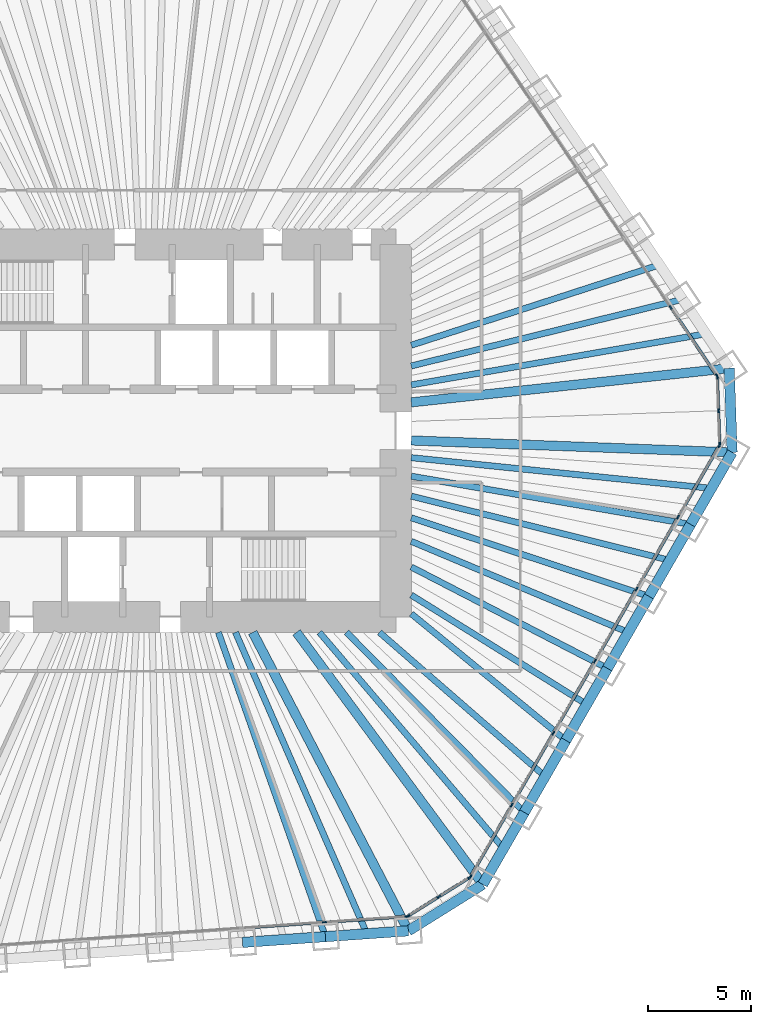
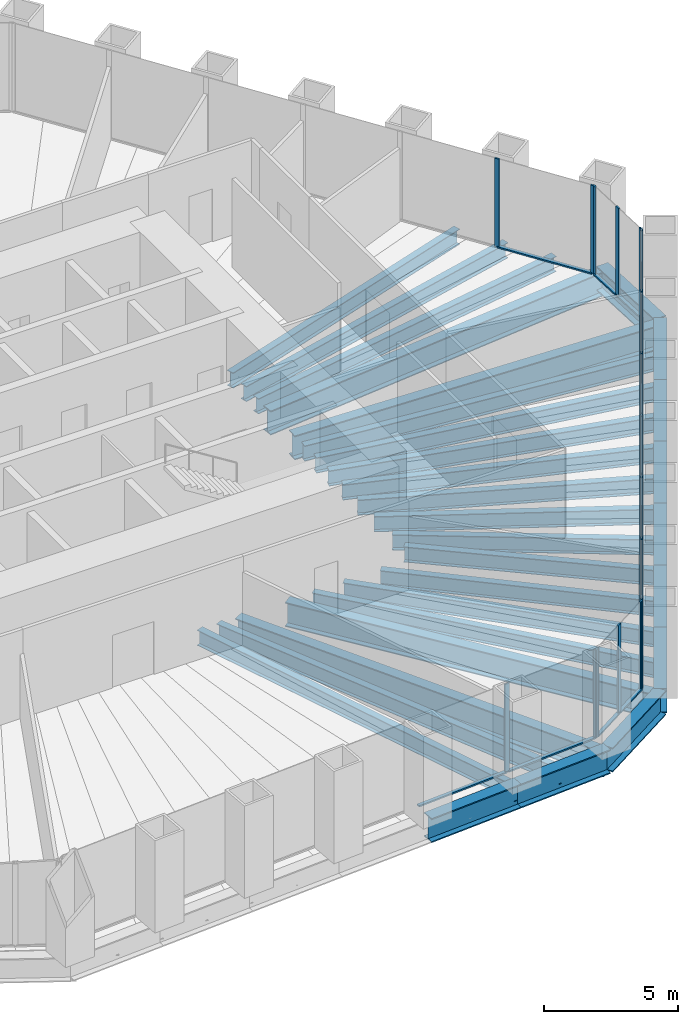
# One storey, part 4 of 13: 30 beams, 30 members, 5 elements without a shape of their own.
"""IFC4 building model written with IfcOpenShell, lengths in metres."""

import ifcopenshell
import ifcopenshell.guid

model = None  # the IFC model being written
_history = None  # IfcOwnerHistory: only IFC2X3 demands one
_inside = {}  # id of a spatial element -> (the spatial element, [elements in it])
_under = {}  # id of a project, library or spatial element -> (it, [spatial elements below it])
_declared = {}  # id of a project -> (the project, [libraries it declares])
_typed = {}  # id of a type object -> (the type object, [elements of that type])
_made_of = {}  # id of a material, layer set ... -> (it, [elements and type objects made of it])


def new_model(schema):
    """Start an empty IFC model of exactly this schema.

    Asked for "IFC4X3", IfcOpenShell would pick the latest addendum, in which some entities
    have other attributes; the version numbers below select the first issue.
    IFC2X3 requires an IfcOwnerHistory on every rooted entity: one is made here for all.
    """
    global model, _history
    if schema == "IFC4X3":
        model = ifcopenshell.file(schema_version=(4, 3, 0, 0))
    else:
        model = ifcopenshell.file(schema=schema)
    _inside.clear()
    _under.clear()
    _declared.clear()
    _typed.clear()
    _made_of.clear()
    _history = None
    if model.schema == "IFC2X3":
        org = make("IfcOrganization", Name="unknown")
        user = make(
            "IfcPersonAndOrganization",
            ThePerson=make("IfcPerson", FamilyName="unknown"),
            TheOrganization=org,
        )
        app = make(
            "IfcApplication",
            ApplicationDeveloper=org,
            Version="unknown",
            ApplicationFullName="unknown",
            ApplicationIdentifier="unknown",
        )
        _history = make(
            "IfcOwnerHistory",
            OwningUser=user,
            OwningApplication=app,
            ChangeAction="ADDED",
            CreationDate=0,
        )
    return model


def make(cls, **values):
    """One entity of the class cls with the attributes given. An attribute that is None is left unset."""
    return model.create_entity(
        cls, **{name: value for name, value in values.items() if value is not None}
    )


def rooted(cls, **values):
    """An entity with a GlobalId (a new one), such as an element, a storey or a relation."""
    return make(cls, GlobalId=ifcopenshell.guid.new(), OwnerHistory=_history, **values)


def si_unit(unit_type, name, prefix=None):
    """IfcSIUnit, for example si_unit("LENGTHUNIT", "METRE", prefix="MILLI")."""
    return make("IfcSIUnit", UnitType=unit_type, Prefix=prefix, Name=name)


def assignment(units):
    """IfcUnitAssignment: the units of a project."""
    return None if units is None else make("IfcUnitAssignment", Units=units)


def point(xyz):
    """IfcCartesianPoint."""
    return None if xyz is None else make("IfcCartesianPoint", Coordinates=xyz)


def direction(xyz):
    """IfcDirection."""
    return None if xyz is None else make("IfcDirection", DirectionRatios=xyz)


def frame(location, z_axis=None, x_axis=None):
    """IfcAxis2Placement3D, a coordinate frame: its origin and axes. An axis left out is left unset."""
    return make(
        "IfcAxis2Placement3D",
        Location=point(location),
        Axis=direction(z_axis),
        RefDirection=direction(x_axis),
    )


def frame_2d(location, x_axis=None):
    """IfcAxis2Placement2D, a coordinate frame in the plane: its origin and x axis."""
    return make(
        "IfcAxis2Placement2D", Location=point(location), RefDirection=direction(x_axis)
    )


def origin():
    """The frame at (0, 0, 0) with its axes left unset."""
    return frame((0.0, 0.0, 0.0))


def origin_2d():
    """The frame at (0, 0) in the plane with its x axis left unset."""
    return frame_2d((0.0, 0.0))


def place(relative_to, where):
    """IfcLocalPlacement: puts the frame where relative to a parent placement (None: the world)."""
    return make(
        "IfcLocalPlacement", PlacementRelTo=relative_to, RelativePlacement=where
    )


def context(
    kind, dimensions, precision=None, world=None, true_north=None, identifier=None
):
    """IfcGeometricRepresentationContext, for example the 3D "Model" context."""
    return make(
        "IfcGeometricRepresentationContext",
        ContextIdentifier=identifier,
        ContextType=kind,
        CoordinateSpaceDimension=dimensions,
        Precision=precision,
        WorldCoordinateSystem=world,
        TrueNorth=true_north,
    )


def subcontext(parent, identifier, kind, view, scale=None):
    """IfcGeometricRepresentationSubContext, for example "Body" below "Model"."""
    return make(
        "IfcGeometricRepresentationSubContext",
        ContextIdentifier=identifier,
        ContextType=kind,
        ParentContext=parent,
        TargetScale=scale,
        TargetView=view,
    )


def project(units=None, contexts=None):
    """IfcProject with its units and contexts."""
    return rooted(
        "IfcProject",
        Name="project",
        RepresentationContexts=contexts,
        UnitsInContext=assignment(units),
    )


def spatial(cls, under=None, at=None, **own):
    """A site, building, storey or space (cls), placed at a placement, below another one or the project."""
    s = rooted(cls, ObjectPlacement=at, **own)
    if under is not None:
        _under.setdefault(under.id(), (under, []))[1].append(s)
    return s


def profile(cls, at=None, kind="AREA", **sizes):
    """A parametric profile (cls). Its sizes go by their IFC names, for example OverallWidth=200.0."""
    return make(cls, ProfileType=kind, Position=at, **sizes)


def rectangle(**sizes):
    """IfcRectangleProfileDef."""
    return profile("IfcRectangleProfileDef", **sizes)


def i_section(**sizes):
    """IfcIShapeProfileDef."""
    return profile("IfcIShapeProfileDef", **sizes)


def extrude(swept, where, along, depth):
    """IfcExtrudedAreaSolid: the profile swept, set in the frame where, extruded along a direction by depth."""
    return make(
        "IfcExtrudedAreaSolid",
        SweptArea=swept,
        Position=where,
        ExtrudedDirection=direction(along),
        Depth=depth,
    )


def shape(context_of_items, identifier, shape_type, items):
    """IfcShapeRepresentation: the items that make up one representation, for example the "Body"."""
    return make(
        "IfcShapeRepresentation",
        ContextOfItems=context_of_items,
        RepresentationIdentifier=identifier,
        RepresentationType=shape_type,
        Items=items,
    )


def material(Name=None, Category=None):
    """IfcMaterial."""
    return make("IfcMaterial", Name=Name, Category=Category)


def material_profile(
    of_material, cross_section, Name=None, Category=None, Priority=None
):
    """IfcMaterialProfile: a cross section and its material."""
    return make(
        "IfcMaterialProfile",
        Name=Name,
        Material=of_material,
        Profile=cross_section,
        Priority=Priority,
        Category=Category,
    )


def profile_set(profiles, Name=None, composite=None):
    """IfcMaterialProfileSet."""
    return make(
        "IfcMaterialProfileSet",
        Name=Name,
        MaterialProfiles=profiles,
        CompositeProfile=composite,
    )


def made_of(thing, what):
    """Note that an element or type object is made of a material, layer set ...; save() writes the relation."""
    if what is not None:
        _made_of.setdefault(what.id(), (what, []))[1].append(thing)
    return thing


def type_object(cls, material=None, **own):
    """A type object (cls), such as IfcWallType, which elements share."""
    return made_of(rooted(cls, **own), material)


def element(
    cls,
    number,
    at=None,
    inside=None,
    cuts=None,
    type_object=None,
    material=None,
    context=None,
    identifier="Body",
    shape_type=None,
    held_by="IfcProductDefinitionShape",
    body=None,
    shapes=None,
    **own,
):
    """One element of the class cls, such as IfcWall. Its Tag is "e" and its number.

    at: its placement. inside: the storey or other place that contains it. cuts: it is an
    opening in that element (IfcRelVoidsElement). A single representation is given by context,
    identifier, shape_type and body (its items); several are given by shapes. held_by: the class
    of the entity that holds the representations. save() writes the other relations.
    """
    e = rooted(cls, Tag="e%d" % number, ObjectPlacement=at, **own)
    if body is not None:
        shapes = [shape(context, identifier, shape_type, body)]
    if shapes is not None:
        e.Representation = make(held_by, Representations=shapes)
    if inside is not None:
        _inside.setdefault(inside.id(), (inside, []))[1].append(e)
    if cuts is not None:
        rooted(
            "IfcRelVoidsElement", RelatingBuildingElement=cuts, RelatedOpeningElement=e
        )
    if type_object is not None:
        _typed.setdefault(type_object.id(), (type_object, []))[1].append(e)
    return made_of(e, material)


def aggregate(whole, parts):
    """IfcRelAggregates: a whole, such as a stair, and the parts it consists of."""
    return rooted("IfcRelAggregates", RelatingObject=whole, RelatedObjects=parts)


def save(model, path):
    """Write the relations noted so far, then the file.

    IfcRelAggregates (storeys below a building ...), IfcRelContainedInSpatialStructure (elements
    in a storey), IfcRelDefinesByType, IfcRelAssociatesMaterial and IfcRelDeclares: one each for
    every whole, place, type object, material and project.
    """
    for whole, parts in _under.values():
        aggregate(whole, parts)
    for where, things in _inside.values():
        rooted(
            "IfcRelContainedInSpatialStructure",
            RelatedElements=things,
            RelatingStructure=where,
        )
    for kind, things in _typed.values():
        rooted("IfcRelDefinesByType", RelatedObjects=things, RelatingType=kind)
    for what, things in _made_of.values():
        rooted("IfcRelAssociatesMaterial", RelatedObjects=things, RelatingMaterial=what)
    for by, libraries in _declared.values():
        rooted("IfcRelDeclares", RelatingContext=by, RelatedDefinitions=libraries)
    model.write(path)


model = new_model("IFC4")

# Units and contexts
model_context = context("Model", 3, precision=1e-05, world=origin(), true_north=direction((0.0, 1.0)))
body_context = subcontext(model_context, "Body", "Model", "MODEL_VIEW")
ifc_project = project(units=[si_unit("LENGTHUNIT", "METRE"), si_unit("AREAUNIT", "SQUARE_METRE"), si_unit("VOLUMEUNIT", "CUBIC_METRE"), si_unit("PLANEANGLEUNIT", "RADIAN"), si_unit("MASSUNIT", "GRAM", prefix="KILO")], contexts=[model_context])

# Site, building, storey
site_placement = place(None, origin())
site = spatial("IfcSite", under=ifc_project, at=site_placement, CompositionType="ELEMENT")
building_placement = place(site_placement, origin())
building = spatial("IfcBuilding", under=site, at=building_placement, Name="Qingtian Harvest Tower", CompositionType="ELEMENT")
storey_placement = place(building_placement, frame((0.0, 0.0, 153.39990234375)))
storey = spatial("IfcBuildingStorey", under=building, at=storey_placement, Name="L32", CompositionType="ELEMENT", Elevation=153.39990234375)

# Beams
ifc_material_1 = material(Name="Steel SM570MC", Category="steel")
ifc_material_profile_1 = material_profile(ifc_material_1, i_section(OverallWidth=0.449951171875, OverallDepth=1.10009765625, WebThickness=0.02197265625, FlangeThickness=0.044921875, at=origin_2d()), Name="H1100x450x22x45")
ifc_profile_set_1 = profile_set([ifc_material_profile_1], Name="Steel SM570MC")
beam_type_1 = type_object("IfcBeamType", Name="Corner floor beam FB8 H1100x450x22x45", PredefinedType="BEAM", material=ifc_profile_set_1)
beam_1_placement = place(storey_placement, frame((28.119384765625, 3.0185546875, -0.719970703125), z_axis=(-0.994287324052, -0.106736672374, 0.0), x_axis=(0.106736672374, -0.994287324052, 0.0)))
element("IfcBeam", 1, at=beam_1_placement, inside=storey, type_object=beam_type_1, Name="Floor beam FB8 NE6", PredefinedType="BEAM", context=body_context, shape_type="SweptSolid", body=[
    extrude(i_section(OverallWidth=0.449951171875, OverallDepth=1.10009765625, WebThickness=0.02197265625, FlangeThickness=0.044921875, at=origin_2d()), origin(), (0.0, 0.0, 1.0), 15.457763671875),
])
beam_2_placement = place(storey_placement, frame((28.261474609375, -1.049560546875, -0.719970703125), z_axis=(-0.999311425285, 0.03710357523, 0.0), x_axis=(-0.03710357523, -0.999311425285, 0.0)))
element("IfcBeam", 2, at=beam_2_placement, inside=storey, type_object=beam_type_1, Name="Floor beam FB8 SE0", PredefinedType="BEAM", context=body_context, shape_type="SweptSolid", body=[
    extrude(i_section(OverallWidth=0.449951171875, OverallDepth=1.10009765625, WebThickness=0.02197265625, FlangeThickness=0.044921875, at=origin_2d()), origin(), (0.0, 0.0, 1.0), 15.522216796875),
])
beam_3_placement = place(storey_placement, frame((16.204345703125, -21.933349609375, -0.719970703125), z_axis=(-0.594215666968, 0.804305751023, 0.0), x_axis=(-0.804305751023, -0.594215666968, 0.0)))
element("IfcBeam", 3, at=beam_3_placement, inside=storey, type_object=beam_type_1, Name="Floor beam FB8 SE6", PredefinedType="BEAM", context=body_context, shape_type="SweptSolid", body=[
    extrude(i_section(OverallWidth=0.449951171875, OverallDepth=1.10009765625, WebThickness=0.02197265625, FlangeThickness=0.044921875, at=origin_2d()), origin(), (0.0, 0.0, 1.0), 15.147705078125),
])
beam_4_placement = place(storey_placement, frame((12.610107421875, -24.17919921875, -0.719970703125), z_axis=(-0.462414751295, 0.886663745613, 0.0), x_axis=(-0.886663745613, -0.462414751295, 0.0)))
element("IfcBeam", 4, at=beam_4_placement, inside=storey, type_object=beam_type_1, Name="Floor beam FB8 S0", PredefinedType="BEAM", context=body_context, shape_type="SweptSolid", body=[
    extrude(i_section(OverallWidth=0.449951171875, OverallDepth=1.10009765625, WebThickness=0.02197265625, FlangeThickness=0.044921875, at=origin_2d()), origin(), (0.0, 0.0, 1.0), 16.273681640625),
])
ifc_material_2 = material(Name="Steel SN490B", Category="steel")
ifc_material_profile_2 = material_profile(ifc_material_2, i_section(OverallWidth=0.300048828125, OverallDepth=0.699951171875, WebThickness=0.012939453125, FlangeThickness=0.02392578125, at=origin_2d()), Name="H700x300x13x24")
ifc_profile_set_2 = profile_set([ifc_material_profile_2], Name="Steel SN490B")
beam_type_2 = type_object("IfcBeamType", Name="Floor beam FB2 H700x300x13x24", PredefinedType="BEAM", material=ifc_profile_set_2)
beam_5_placement = place(storey_placement, frame((25.8720703125, 6.3505859375, -0.52001953125), z_axis=(-0.971170997483, -0.2383839207, 0.0), x_axis=(0.2383839207, -0.971170997483, 0.0)))
element("IfcBeam", 5, at=beam_5_placement, inside=storey, type_object=beam_type_2, Name="Floor beam FB2 NE5", PredefinedType="BEAM", context=body_context, shape_type="SweptSolid", body=[
    extrude(i_section(OverallWidth=0.300048828125, OverallDepth=0.699951171875, WebThickness=0.012939453125, FlangeThickness=0.02392578125, at=origin_2d()), origin(), (0.0, 0.0, 1.0), 13.511474609375),
])
beam_6_placement = place(storey_placement, frame((26.251953125, -4.5302734375, -0.52001953125), z_axis=(-0.985433767107, 0.170059667895, 0.0), x_axis=(-0.170059667895, -0.985433767107, 0.0)))
element("IfcBeam", 6, at=beam_6_placement, inside=storey, type_object=beam_type_2, Name="Floor beam FB2 SE1", PredefinedType="BEAM", context=body_context, shape_type="SweptSolid", body=[
    extrude(i_section(OverallWidth=0.300048828125, OverallDepth=0.699951171875, WebThickness=0.012939453125, FlangeThickness=0.02392578125, at=origin_2d()), origin(), (0.0, 0.0, 1.0), 13.701416015625),
])
beam_7_placement = place(storey_placement, frame((24.242431640625, -8.010986328125, -0.52001953125), z_axis=(-0.949497047328, 0.31377596644, 0.0), x_axis=(-0.31377596644, -0.949497047328, 0.0)))
element("IfcBeam", 7, at=beam_7_placement, inside=storey, type_object=beam_type_2, Name="Floor beam FB2 SE2", PredefinedType="BEAM", context=body_context, shape_type="SweptSolid", body=[
    extrude(i_section(OverallWidth=0.300048828125, OverallDepth=0.699951171875, WebThickness=0.012939453125, FlangeThickness=0.02392578125, at=origin_2d()), origin(), (0.0, 0.0, 1.0), 12.103759765625),
])
beam_8_placement = place(storey_placement, frame((22.23291015625, -11.491455078125, -0.52001953125), z_axis=(-0.888354700773, 0.459157843899, 0.0), x_axis=(-0.459157843899, -0.888354700773, 0.0)))
element("IfcBeam", 8, at=beam_8_placement, inside=storey, type_object=beam_type_2, Name="Floor beam FB2 SE3", PredefinedType="BEAM", context=body_context, shape_type="SweptSolid", body=[
    extrude(i_section(OverallWidth=0.300048828125, OverallDepth=0.699951171875, WebThickness=0.012939453125, FlangeThickness=0.02392578125, at=origin_2d()), origin(), (0.0, 0.0, 1.0), 10.6748046875),
])
beam_9_placement = place(storey_placement, frame((20.223388671875, -14.97216796875, -0.52001953125), z_axis=(-0.773577716445, 0.633701441233, 0.0), x_axis=(-0.633701441233, -0.773577716445, 0.0)))
element("IfcBeam", 9, at=beam_9_placement, inside=storey, type_object=beam_type_2, Name="Floor beam FB2 SE4", PredefinedType="BEAM", context=body_context, shape_type="SweptSolid", body=[
    extrude(i_section(OverallWidth=0.300048828125, OverallDepth=0.699951171875, WebThickness=0.012939453125, FlangeThickness=0.02392578125, at=origin_2d()), origin(), (0.0, 0.0, 1.0), 9.660888671875),
])
beam_10_placement = place(storey_placement, frame((18.2138671875, -18.452880859375, -0.52001953125), z_axis=(-0.702479751847, 0.711703729262, 0.0), x_axis=(-0.711703729262, -0.702479751847, 0.0)))
element("IfcBeam", 10, at=beam_10_placement, inside=storey, type_object=beam_type_2, Name="Floor beam FB2 SE5", PredefinedType="BEAM", context=body_context, shape_type="SweptSolid", body=[
    extrude(i_section(OverallWidth=0.300048828125, OverallDepth=0.699951171875, WebThickness=0.012939453125, FlangeThickness=0.02392578125, at=origin_2d()), origin(), (0.0, 0.0, 1.0), 12.228271484375),
])
beam_11_placement = place(storey_placement, frame((8.600830078125, -24.459716796875, -0.52001953125), z_axis=(-0.331719146802, 0.943378189087, 0.0), x_axis=(-0.943378189087, -0.331719146802, 0.0)))
element("IfcBeam", 11, at=beam_11_placement, inside=storey, type_object=beam_type_2, Name="Floor beam FB2 S1", PredefinedType="BEAM", context=body_context, shape_type="SweptSolid", body=[
    extrude(i_section(OverallWidth=0.300048828125, OverallDepth=0.699951171875, WebThickness=0.012939453125, FlangeThickness=0.02392578125, at=origin_2d()), origin(), (0.0, 0.0, 1.0), 15.592529296875),
])
ifc_material_3 = material(Name="Steel SN490B", Category="steel")
ifc_material_profile_3 = material_profile(ifc_material_3, i_section(OverallWidth=0.300048828125, OverallDepth=0.699951171875, WebThickness=0.012939453125, FlangeThickness=0.02392578125, at=origin_2d()), Name="H700x300x13x24")
ifc_profile_set_3 = profile_set([ifc_material_profile_3], Name="Steel SN490B")
beam_type_3 = type_object("IfcBeamType", Name="Floor joist J2 H700x300x13x24", PredefinedType="JOIST", material=ifc_profile_set_3)
beam_12_placement = place(storey_placement, frame((24.748291015625, 8.016357421875, -0.52001953125), z_axis=(-0.951335907519, -0.308155790249, 0.0), x_axis=(0.308155790249, -0.951335907519, 0.0)))
element("IfcBeam", 12, at=beam_12_placement, inside=storey, type_object=beam_type_3, Name="Floor joist J2 NE4", PredefinedType="JOIST", context=body_context, shape_type="SweptSolid", body=[
    extrude(i_section(OverallWidth=0.300048828125, OverallDepth=0.699951171875, WebThickness=0.012939453125, FlangeThickness=0.02392578125, at=origin_2d()), origin(), (0.0, 0.0, 1.0), 12.612060546875),
])
beam_13_placement = place(storey_placement, frame((26.99560546875, 4.6845703125, -0.52001953125), z_axis=(-0.985273903188, -0.17098343691, 0.0), x_axis=(0.17098343691, -0.985273903188, 0.0)))
element("IfcBeam", 13, at=beam_13_placement, inside=storey, type_object=beam_type_3, Name="Floor joist J2 NE5", PredefinedType="JOIST", context=body_context, shape_type="SweptSolid", body=[
    extrude(i_section(OverallWidth=0.300048828125, OverallDepth=0.699951171875, WebThickness=0.012939453125, FlangeThickness=0.02392578125, at=origin_2d()), origin(), (0.0, 0.0, 1.0), 14.45849609375),
])
beam_14_placement = place(storey_placement, frame((27.2568359375, -2.7900390625, -0.52001953125), z_axis=(-0.994802418411, 0.101824104826, 0.0), x_axis=(-0.101824104826, -0.994802418411, 0.0)))
element("IfcBeam", 14, at=beam_14_placement, inside=storey, type_object=beam_type_3, Name="Floor joist J2 SE0", PredefinedType="JOIST", context=body_context, shape_type="SweptSolid", body=[
    extrude(i_section(OverallWidth=0.300048828125, OverallDepth=0.699951171875, WebThickness=0.012939453125, FlangeThickness=0.02392578125, at=origin_2d()), origin(), (0.0, 0.0, 1.0), 14.58251953125),
])
beam_15_placement = place(storey_placement, frame((25.247314453125, -6.2705078125, -0.52001953125), z_axis=(-0.970517179244, 0.241031958032, 0.0), x_axis=(-0.241031958032, -0.970517179244, 0.0)))
element("IfcBeam", 15, at=beam_15_placement, inside=storey, type_object=beam_type_3, Name="Floor joist J2 SE1", PredefinedType="JOIST", context=body_context, shape_type="SweptSolid", body=[
    extrude(i_section(OverallWidth=0.300048828125, OverallDepth=0.699951171875, WebThickness=0.012939453125, FlangeThickness=0.02392578125, at=origin_2d()), origin(), (0.0, 0.0, 1.0), 12.876953125),
])
beam_16_placement = place(storey_placement, frame((23.237548828125, -9.751220703125, -0.52001953125), z_axis=(-0.922104219626, 0.386941608189, 0.0), x_axis=(-0.386941608189, -0.922104219626, 0.0)))
element("IfcBeam", 16, at=beam_16_placement, inside=storey, type_object=beam_type_3, Name="Floor joist J2 SE2", PredefinedType="JOIST", context=body_context, shape_type="SweptSolid", body=[
    extrude(i_section(OverallWidth=0.300048828125, OverallDepth=0.699951171875, WebThickness=0.012939453125, FlangeThickness=0.02392578125, at=origin_2d()), origin(), (0.0, 0.0, 1.0), 11.37353515625),
])
beam_17_placement = place(storey_placement, frame((21.22802734375, -13.23193359375, -0.52001953125), z_axis=(-0.848631984892, 0.528983699389, 0.0), x_axis=(-0.528983699389, -0.848631984892, 0.0)))
element("IfcBeam", 17, at=beam_17_placement, inside=storey, type_object=beam_type_3, Name="Floor joist J2 SE3", PredefinedType="JOIST", context=body_context, shape_type="SweptSolid", body=[
    extrude(i_section(OverallWidth=0.300048828125, OverallDepth=0.699951171875, WebThickness=0.012939453125, FlangeThickness=0.02392578125, at=origin_2d()), origin(), (0.0, 0.0, 1.0), 9.990234375),
])
beam_18_placement = place(storey_placement, frame((19.218505859375, -16.71240234375, -0.52001953125), z_axis=(-0.754588679317, 0.656198083697, 0.0), x_axis=(-0.656198083697, -0.754588679317, 0.0)))
element("IfcBeam", 18, at=beam_18_placement, inside=storey, type_object=beam_type_3, Name="Floor joist J2 SE4", PredefinedType="JOIST", context=body_context, shape_type="SweptSolid", body=[
    extrude(i_section(OverallWidth=0.300048828125, OverallDepth=0.699951171875, WebThickness=0.012939453125, FlangeThickness=0.02392578125, at=origin_2d()), origin(), (0.0, 0.0, 1.0), 10.610107421875),
])
beam_19_placement = place(storey_placement, frame((17.208984375, -20.193115234375, -0.52001953125), z_axis=(-0.648631797865, 0.76110235238, 0.0), x_axis=(-0.76110235238, -0.648631797865, 0.0)))
element("IfcBeam", 19, at=beam_19_placement, inside=storey, type_object=beam_type_3, Name="Floor joist J2 SE5", PredefinedType="JOIST", context=body_context, shape_type="SweptSolid", body=[
    extrude(i_section(OverallWidth=0.300048828125, OverallDepth=0.699951171875, WebThickness=0.012939453125, FlangeThickness=0.02392578125, at=origin_2d()), origin(), (0.0, 0.0, 1.0), 13.720947265625),
])
beam_20_placement = place(storey_placement, frame((10.60546875, -24.3193359375, -0.52001953125), z_axis=(-0.399732363577, 0.916631898588, 0.0), x_axis=(-0.916631898588, -0.399732363577, 0.0)))
element("IfcBeam", 20, at=beam_20_placement, inside=storey, type_object=beam_type_3, Name="Floor joist J2 S0", PredefinedType="JOIST", context=body_context, shape_type="SweptSolid", body=[
    extrude(i_section(OverallWidth=0.300048828125, OverallDepth=0.699951171875, WebThickness=0.012939453125, FlangeThickness=0.02392578125, at=origin_2d()), origin(), (0.0, 0.0, 1.0), 15.89453125),
])

# Curtain wall, members
ifc_material_4 = material(Name="Bronze-anodised aluminium curtain wall", Category="aluminium")
curtain_wall_type = type_object("IfcCurtainWallType", Name="Curtain wall CW4 office", PredefinedType="USERDEFINED", material=ifc_material_4)
curtain_wall_1_placement = place(storey_placement, origin())
curtain_wall_1 = element("IfcCurtainWall", 21, at=curtain_wall_1_placement, inside=storey, type_object=curtain_wall_type, Name="Curtain wall CW4 L32 NE0-5", ObjectType="RECESSED CURTAIN WALL", PredefinedType="USERDEFINED")
ifc_material_5 = material(Name="Bronze-anodised aluminium mullion", Category="aluminium")
ifc_material_profile_4 = material_profile(ifc_material_5, rectangle(XDim=0.06494140625, YDim=0.199951171875, at=origin_2d()), Name="AL 65x200")
ifc_profile_set_4 = profile_set([ifc_material_profile_4], Name="Bronze-anodised aluminium mullion")
member_type_1 = type_object("IfcMemberType", Name="Mullion CWM 65x200", PredefinedType="MULLION", material=ifc_profile_set_4)
member_1_placement = place(storey_placement, frame((25.291748046875, 5.958984375, 0.0), z_axis=(0.0, 0.0, 1.0), x_axis=(0.829037572555, 0.559192903471, 0.0)))
member_1 = element("IfcMember", 22, at=member_1_placement, type_object=member_type_1, Name="CW4 mullion 6", PredefinedType="MULLION", context=body_context, shape_type="SweptSolid", body=[
    extrude(rectangle(XDim=0.06494140625, YDim=0.199951171875, at=origin_2d()), origin(), (0.0, 0.0, 1.0), 4.030029296875),
])
member_2_placement = place(storey_placement, frame((27.52099609375, 2.654052734375, 0.0), z_axis=(0.0, 0.0, 1.0), x_axis=(0.829037572555, 0.559192903471, 0.0)))
member_2 = element("IfcMember", 23, at=member_2_placement, type_object=member_type_1, Name="CW4 mullion 7", PredefinedType="MULLION", context=body_context, shape_type="SweptSolid", body=[
    extrude(rectangle(XDim=0.06494140625, YDim=0.199951171875, at=origin_2d()), origin(), (0.0, 0.0, 1.0), 4.030029296875),
])

curtain_wall_2_placement = place(storey_placement, origin())
curtain_wall_2 = element("IfcCurtainWall", 24, at=curtain_wall_2_placement, inside=storey, type_object=curtain_wall_type, Name="Curtain wall CW4 L32 NEC", ObjectType="RECESSED CURTAIN WALL", PredefinedType="USERDEFINED")
member_3_placement = place(storey_placement, frame((27.540283203125, 2.594482421875, 0.0), z_axis=(0.0, 0.0, 1.0), x_axis=(0.999390827019, 0.034899496703, 0.0)))
member_3 = element("IfcMember", 25, at=member_3_placement, type_object=member_type_1, Name="CW4 mullion 1", PredefinedType="MULLION", context=body_context, shape_type="SweptSolid", body=[
    extrude(rectangle(XDim=0.06494140625, YDim=0.199951171875, at=origin_2d()), origin(), (0.0, 0.0, 1.0), 4.030029296875),
])
member_4_placement = place(storey_placement, frame((27.59716796875, 0.963623046875, 0.0), z_axis=(0.0, 0.0, 1.0), x_axis=(0.999390827019, 0.034899496703, 0.0)))
member_4 = element("IfcMember", 26, at=member_4_placement, type_object=member_type_1, Name="CW4 mullion 2", PredefinedType="MULLION", context=body_context, shape_type="SweptSolid", body=[
    extrude(rectangle(XDim=0.06494140625, YDim=0.199951171875, at=origin_2d()), origin(), (0.0, 0.0, 1.0), 4.030029296875),
])
member_5_placement = place(storey_placement, frame((27.654052734375, -0.667236328125, 0.0), z_axis=(0.0, 0.0, 1.0), x_axis=(0.999390827019, 0.034899496703, 0.0)))
member_5 = element("IfcMember", 27, at=member_5_placement, type_object=member_type_1, Name="CW4 mullion 3", PredefinedType="MULLION", context=body_context, shape_type="SweptSolid", body=[
    extrude(rectangle(XDim=0.06494140625, YDim=0.199951171875, at=origin_2d()), origin(), (0.0, 0.0, 1.0), 4.030029296875),
])

curtain_wall_3_placement = place(storey_placement, origin())
curtain_wall_3 = element("IfcCurtainWall", 28, at=curtain_wall_3_placement, inside=storey, type_object=curtain_wall_type, Name="Curtain wall CW4 L32 SE0-5", ObjectType="RECESSED CURTAIN WALL", PredefinedType="USERDEFINED")
member_6_placement = place(storey_placement, frame((27.638916015625, -0.727783203125, 0.0), z_axis=(0.0, 0.0, 1.0), x_axis=(0.866025403784, -0.5, 0.0)))
member_6 = element("IfcMember", 29, at=member_6_placement, type_object=member_type_1, Name="CW4 mullion 1", PredefinedType="MULLION", context=body_context, shape_type="SweptSolid", body=[
    extrude(rectangle(XDim=0.06494140625, YDim=0.199951171875, at=origin_2d()), origin(), (0.0, 0.0, 1.0), 4.030029296875),
])
member_7_placement = place(storey_placement, frame((25.645751953125, -4.18017578125, 0.0), z_axis=(0.0, 0.0, 1.0), x_axis=(0.866025403784, -0.5, 0.0)))
member_7 = element("IfcMember", 30, at=member_7_placement, type_object=member_type_1, Name="CW4 mullion 2", PredefinedType="MULLION", context=body_context, shape_type="SweptSolid", body=[
    extrude(rectangle(XDim=0.06494140625, YDim=0.199951171875, at=origin_2d()), origin(), (0.0, 0.0, 1.0), 4.030029296875),
])
member_8_placement = place(storey_placement, frame((23.63623046875, -7.660888671875, 0.0), z_axis=(0.0, 0.0, 1.0), x_axis=(0.866025403784, -0.5, 0.0)))
member_8 = element("IfcMember", 31, at=member_8_placement, type_object=member_type_1, Name="CW4 mullion 3", PredefinedType="MULLION", context=body_context, shape_type="SweptSolid", body=[
    extrude(rectangle(XDim=0.06494140625, YDim=0.199951171875, at=origin_2d()), origin(), (0.0, 0.0, 1.0), 4.030029296875),
])
member_9_placement = place(storey_placement, frame((21.626708984375, -11.1416015625, 0.0), z_axis=(0.0, 0.0, 1.0), x_axis=(0.866025403784, -0.5, 0.0)))
member_9 = element("IfcMember", 32, at=member_9_placement, type_object=member_type_1, Name="CW4 mullion 4", PredefinedType="MULLION", context=body_context, shape_type="SweptSolid", body=[
    extrude(rectangle(XDim=0.06494140625, YDim=0.199951171875, at=origin_2d()), origin(), (0.0, 0.0, 1.0), 4.030029296875),
])
member_10_placement = place(storey_placement, frame((19.6171875, -14.6220703125, 0.0), z_axis=(0.0, 0.0, 1.0), x_axis=(0.866025403784, -0.5, 0.0)))
member_10 = element("IfcMember", 33, at=member_10_placement, type_object=member_type_1, Name="CW4 mullion 5", PredefinedType="MULLION", context=body_context, shape_type="SweptSolid", body=[
    extrude(rectangle(XDim=0.06494140625, YDim=0.199951171875, at=origin_2d()), origin(), (0.0, 0.0, 1.0), 4.030029296875),
])
member_11_placement = place(storey_placement, frame((17.607666015625, -18.102783203125, 0.0), z_axis=(0.0, 0.0, 1.0), x_axis=(0.866025403784, -0.5, 0.0)))
member_11 = element("IfcMember", 34, at=member_11_placement, type_object=member_type_1, Name="CW4 mullion 6", PredefinedType="MULLION", context=body_context, shape_type="SweptSolid", body=[
    extrude(rectangle(XDim=0.06494140625, YDim=0.199951171875, at=origin_2d()), origin(), (0.0, 0.0, 1.0), 4.030029296875),
])
member_12_placement = place(storey_placement, frame((15.6142578125, -21.55517578125, 0.0), z_axis=(0.0, 0.0, 1.0), x_axis=(0.866025403784, -0.5, 0.0)))
member_12 = element("IfcMember", 35, at=member_12_placement, type_object=member_type_1, Name="CW4 mullion 7", PredefinedType="MULLION", context=body_context, shape_type="SweptSolid", body=[
    extrude(rectangle(XDim=0.06494140625, YDim=0.199951171875, at=origin_2d()), origin(), (0.0, 0.0, 1.0), 4.030029296875),
])

curtain_wall_4_placement = place(storey_placement, origin())
curtain_wall_4 = element("IfcCurtainWall", 36, at=curtain_wall_4_placement, inside=storey, type_object=curtain_wall_type, Name="Curtain wall CW4 L32 SEC", ObjectType="RECESSED CURTAIN WALL", PredefinedType="USERDEFINED")
member_13_placement = place(storey_placement, frame((15.570556640625, -21.6005859375, 0.0), z_axis=(0.0, 0.0, 1.0), x_axis=(0.529919264233, -0.848048096156, 0.0)))
member_13 = element("IfcMember", 37, at=member_13_placement, type_object=member_type_1, Name="CW4 mullion 1", PredefinedType="MULLION", context=body_context, shape_type="SweptSolid", body=[
    extrude(rectangle(XDim=0.06494140625, YDim=0.199951171875, at=origin_2d()), origin(), (0.0, 0.0, 1.0), 4.030029296875),
])
member_14_placement = place(storey_placement, frame((14.07958984375, -22.5322265625, 0.0), z_axis=(0.0, 0.0, 1.0), x_axis=(0.529919264233, -0.848048096156, 0.0)))
member_14 = element("IfcMember", 38, at=member_14_placement, type_object=member_type_1, Name="CW4 mullion 2", PredefinedType="MULLION", context=body_context, shape_type="SweptSolid", body=[
    extrude(rectangle(XDim=0.06494140625, YDim=0.199951171875, at=origin_2d()), origin(), (0.0, 0.0, 1.0), 4.030029296875),
])
member_15_placement = place(storey_placement, frame((12.5888671875, -23.4638671875, 0.0), z_axis=(0.0, 0.0, 1.0), x_axis=(0.529919264233, -0.848048096156, 0.0)))
member_15 = element("IfcMember", 39, at=member_15_placement, type_object=member_type_1, Name="CW4 mullion 3", PredefinedType="MULLION", context=body_context, shape_type="SweptSolid", body=[
    extrude(rectangle(XDim=0.06494140625, YDim=0.199951171875, at=origin_2d()), origin(), (0.0, 0.0, 1.0), 4.030029296875),
])

curtain_wall_5_placement = place(storey_placement, origin())
curtain_wall_5 = element("IfcCurtainWall", 40, at=curtain_wall_5_placement, inside=storey, type_object=curtain_wall_type, Name="Curtain wall CW4 L32 S0-5", ObjectType="RECESSED CURTAIN WALL", PredefinedType="USERDEFINED")
member_16_placement = place(storey_placement, frame((12.52880859375, -23.483154296875, 0.0), z_axis=(0.0, 0.0, 1.0), x_axis=(0.069756473744, -0.99756405026, 0.0)))
member_16 = element("IfcMember", 41, at=member_16_placement, type_object=member_type_1, Name="CW4 mullion 1", PredefinedType="MULLION", context=body_context, shape_type="SweptSolid", body=[
    extrude(rectangle(XDim=0.06494140625, YDim=0.199951171875, at=origin_2d()), origin(), (0.0, 0.0, 1.0), 4.030029296875),
])
member_17_placement = place(storey_placement, frame((8.552001953125, -23.76123046875, 0.0), z_axis=(0.0, 0.0, 1.0), x_axis=(0.069756473744, -0.99756405026, 0.0)))
member_17 = element("IfcMember", 42, at=member_17_placement, type_object=member_type_1, Name="CW4 mullion 2", PredefinedType="MULLION", context=body_context, shape_type="SweptSolid", body=[
    extrude(rectangle(XDim=0.06494140625, YDim=0.199951171875, at=origin_2d()), origin(), (0.0, 0.0, 1.0), 4.030029296875),
])

# Beams
ifc_material_6 = material(Name="Steel SM570MC", Category="steel")
ifc_material_profile_5 = material_profile(ifc_material_6, i_section(OverallWidth=0.5, OverallDepth=1.10009765625, WebThickness=0.02490234375, FlangeThickness=0.050048828125, at=origin_2d()), Name="H1100x500x25x50")
ifc_profile_set_5 = profile_set([ifc_material_profile_5], Name="Steel SM570MC")
beam_type_4 = type_object("IfcBeamType", Name="Spandrel beam SB2 H1100x500x25x50", PredefinedType="SPANDREL", material=ifc_profile_set_5)
beam_21_placement = place(storey_placement, frame((28.119384765625, 3.0185546875, -0.5498046875), z_axis=(0.03490639867, -0.999390585973, 0.0), x_axis=(0.999390585973, 0.03490639867, 0.0)))
element("IfcBeam", 43, at=beam_21_placement, inside=storey, type_object=beam_type_4, Name="Spandrel SB2 NEC", PredefinedType="SPANDREL", context=body_context, shape_type="SweptSolid", body=[
    extrude(i_section(OverallWidth=0.5, OverallDepth=1.10009765625, WebThickness=0.02490234375, FlangeThickness=0.050048828125, at=origin_2d()), origin(), (0.0, 0.0, 1.0), 4.070556640625),
])
for number, where, z_axis, x_axis, name in (
    (44, (28.261474609375, -1.049560546875, -0.5498046875), (-0.499987116613, -0.866032841884, 0.0), (0.866032841884, -0.499987116613, 0.0), "Spandrel SB2 SE0"),
    (45, (26.251953125, -4.5302734375, -0.5498046875), (-0.499987116613, -0.866032841884, 0.0), (0.866032841884, -0.499987116613, 0.0), "Spandrel SB2 SE1"),
    (46, (24.242431640625, -8.010986328125, -0.5498046875), (-0.500013420409, -0.866017655369, 0.0), (0.866017655369, -0.500013420409, 0.0), "Spandrel SB2 SE2"),
    (47, (22.23291015625, -11.491455078125, -0.5498046875), (-0.499987116613, -0.866032841884, 0.0), (0.866032841884, -0.499987116613, 0.0), "Spandrel SB2 SE3"),
    (48, (20.223388671875, -14.97216796875, -0.5498046875), (-0.499987116613, -0.866032841884, 0.0), (0.866032841884, -0.499987116613, 0.0), "Spandrel SB2 SE4"),
    (49, (18.2138671875, -18.452880859375, -0.5498046875), (-0.500013420409, -0.866017655369, 0.0), (0.866017655369, -0.500013420409, 0.0), "Spandrel SB2 SE5"),
):
    element("IfcBeam", number, at=place(storey_placement, frame(where, z_axis=z_axis, x_axis=x_axis)), inside=storey, type_object=beam_type_4, Name=name, PredefinedType="SPANDREL", context=body_context, shape_type="SweptSolid", body=[
        extrude(i_section(OverallWidth=0.5, OverallDepth=1.10009765625, WebThickness=0.02490234375, FlangeThickness=0.050048828125, at=origin_2d()), origin(), (0.0, 0.0, 1.0), 4.01904296875),
    ])
beam_22_placement = place(storey_placement, frame((16.204345703125, -21.933349609375, -0.5498046875), z_axis=(-0.848056550838, -0.529905733675, 0.0), x_axis=(0.529905733675, -0.848056550838, 0.0)))
element("IfcBeam", 50, at=beam_22_placement, inside=storey, type_object=beam_type_4, Name="Spandrel SB2 SEC", PredefinedType="SPANDREL", context=body_context, shape_type="SweptSolid", body=[
    extrude(i_section(OverallWidth=0.5, OverallDepth=1.10009765625, WebThickness=0.02490234375, FlangeThickness=0.050048828125, at=origin_2d()), origin(), (0.0, 0.0, 1.0), 4.23828125),
])
for number, where, z_axis, x_axis, name in (
    (51, (12.610107421875, -24.17919921875, -0.5498046875), (-0.997561251588, -0.069796485086, 0.0), (0.069796485086, -0.997561251588, 0.0), "Spandrel SB2 S0"),
    (52, (8.600830078125, -24.459716796875, -0.5498046875), (-0.997565479251, -0.069736035208, 0.0), (0.069736035208, -0.997565479251, 0.0), "Spandrel SB2 S1"),
):
    element("IfcBeam", number, at=place(storey_placement, frame(where, z_axis=z_axis, x_axis=x_axis)), inside=storey, type_object=beam_type_4, Name=name, PredefinedType="SPANDREL", context=body_context, shape_type="SweptSolid", body=[
        extrude(i_section(OverallWidth=0.5, OverallDepth=1.10009765625, WebThickness=0.02490234375, FlangeThickness=0.050048828125, at=origin_2d()), origin(), (0.0, 0.0, 1.0), 4.01904296875),
    ])

# Member
ifc_material_7 = material(Name="Bronze-anodised aluminium transom", Category="aluminium")
ifc_material_profile_6 = material_profile(ifc_material_7, rectangle(XDim=0.14990234375, YDim=0.06494140625, at=origin_2d()), Name="AL 65x150")
ifc_profile_set_6 = profile_set([ifc_material_profile_6], Name="Bronze-anodised aluminium transom")
member_type_2 = type_object("IfcMemberType", Name="Transom CWT 65x150", PredefinedType="USERDEFINED", material=ifc_profile_set_6)
member_18_placement = place(storey_placement, frame((25.309814453125, 5.93212890625, 0.03271484375), z_axis=(0.559174507936, -0.829049980203, 0.0), x_axis=(0.829049980203, 0.559174507936, 0.0)))
member_18 = element("IfcMember", 53, at=member_18_placement, type_object=member_type_2, Name="CW4 transom 6.1", ObjectType="TRANSOM", PredefinedType="USERDEFINED", context=body_context, shape_type="SweptSolid", body=[
    extrude(rectangle(XDim=0.14990234375, YDim=0.06494140625, at=origin_2d()), origin(), (0.0, 0.0, 1.0), 3.921630859375),
])

aggregate(curtain_wall_1, [member_1, member_2, member_18])

member_19_placement = place(storey_placement, frame((27.541259765625, 2.56201171875, 0.03271484375), z_axis=(0.034902326647, -0.999390728191, 0.0), x_axis=(0.999390728191, 0.034902326647, 0.0)))
member_19 = element("IfcMember", 54, at=member_19_placement, type_object=member_type_2, Name="CW4 transom 1.1", ObjectType="TRANSOM", PredefinedType="USERDEFINED", context=body_context, shape_type="SweptSolid", body=[
    extrude(rectangle(XDim=0.14990234375, YDim=0.06494140625, at=origin_2d()), origin(), (0.0, 0.0, 1.0), 1.56689453125),
])

member_20_placement = place(storey_placement, frame((27.598388671875, 0.93115234375, 0.03271484375), z_axis=(0.034902326647, -0.999390728191, 0.0), x_axis=(0.999390728191, 0.034902326647, 0.0)))
member_20 = element("IfcMember", 55, at=member_20_placement, type_object=member_type_2, Name="CW4 transom 2.1", ObjectType="TRANSOM", PredefinedType="USERDEFINED", context=body_context, shape_type="SweptSolid", body=[
    extrude(rectangle(XDim=0.14990234375, YDim=0.06494140625, at=origin_2d()), origin(), (0.0, 0.0, 1.0), 1.56689453125),
])

aggregate(curtain_wall_2, [member_3, member_4, member_5, member_19, member_20])

member_21_placement = place(storey_placement, frame((27.622802734375, -0.755859375, 0.03271484375), z_axis=(-0.499975738995, -0.866039410429, 0.0), x_axis=(0.866039410429, -0.499975738995, 0.0)))
member_21 = element("IfcMember", 56, at=member_21_placement, type_object=member_type_2, Name="CW4 transom 1.1", ObjectType="TRANSOM", PredefinedType="USERDEFINED", context=body_context, shape_type="SweptSolid", body=[
    extrude(rectangle(XDim=0.14990234375, YDim=0.06494140625, at=origin_2d()), origin(), (0.0, 0.0, 1.0), 3.921630859375),
])

member_22_placement = place(storey_placement, frame((25.62939453125, -4.20849609375, 0.03271484375), z_axis=(-0.500003941941, -0.866023127892, 0.0), x_axis=(0.866023127892, -0.500003941941, 0.0)))
member_22 = element("IfcMember", 57, at=member_22_placement, type_object=member_type_2, Name="CW4 transom 2.1", ObjectType="TRANSOM", PredefinedType="USERDEFINED", context=body_context, shape_type="SweptSolid", body=[
    extrude(rectangle(XDim=0.14990234375, YDim=0.06494140625, at=origin_2d()), origin(), (0.0, 0.0, 1.0), 3.9541015625),
])

member_23_placement = place(storey_placement, frame((23.619873046875, -7.68896484375, 0.03271484375), z_axis=(-0.500003941941, -0.866023127892, 0.0), x_axis=(0.866023127892, -0.500003941941, 0.0)))
member_23 = element("IfcMember", 58, at=member_23_placement, type_object=member_type_2, Name="CW4 transom 3.1", ObjectType="TRANSOM", PredefinedType="USERDEFINED", context=body_context, shape_type="SweptSolid", body=[
    extrude(rectangle(XDim=0.14990234375, YDim=0.06494140625, at=origin_2d()), origin(), (0.0, 0.0, 1.0), 3.9541015625),
])

member_24_placement = place(storey_placement, frame((21.6103515625, -11.169677734375, 0.03271484375), z_axis=(-0.500003941941, -0.866023127892, 0.0), x_axis=(0.866023127892, -0.500003941941, 0.0)))
member_24 = element("IfcMember", 59, at=member_24_placement, type_object=member_type_2, Name="CW4 transom 4.1", ObjectType="TRANSOM", PredefinedType="USERDEFINED", context=body_context, shape_type="SweptSolid", body=[
    extrude(rectangle(XDim=0.14990234375, YDim=0.06494140625, at=origin_2d()), origin(), (0.0, 0.0, 1.0), 3.9541015625),
])

member_25_placement = place(storey_placement, frame((19.600830078125, -14.650390625, 0.03271484375), z_axis=(-0.500003941941, -0.866023127892, 0.0), x_axis=(0.866023127892, -0.500003941941, 0.0)))
member_25 = element("IfcMember", 60, at=member_25_placement, type_object=member_type_2, Name="CW4 transom 5.1", ObjectType="TRANSOM", PredefinedType="USERDEFINED", context=body_context, shape_type="SweptSolid", body=[
    extrude(rectangle(XDim=0.14990234375, YDim=0.06494140625, at=origin_2d()), origin(), (0.0, 0.0, 1.0), 3.9541015625),
])

member_26_placement = place(storey_placement, frame((17.59130859375, -18.130859375, 0.03271484375), z_axis=(-0.499975738995, -0.866039410429, 0.0), x_axis=(0.866039410429, -0.499975738995, 0.0)))
member_26 = element("IfcMember", 61, at=member_26_placement, type_object=member_type_2, Name="CW4 transom 6.1", ObjectType="TRANSOM", PredefinedType="USERDEFINED", context=body_context, shape_type="SweptSolid", body=[
    extrude(rectangle(XDim=0.14990234375, YDim=0.06494140625, at=origin_2d()), origin(), (0.0, 0.0, 1.0), 3.921630859375),
])

aggregate(curtain_wall_3, [member_6, member_7, member_8, member_9, member_10, member_11, member_12, member_21, member_22, member_23, member_24, member_25, member_26])

member_27_placement = place(storey_placement, frame((15.54296875, -21.617919921875, 0.03271484375), z_axis=(-0.848103609743, -0.529830413568, 0.0), x_axis=(0.529830413568, -0.848103609743, 0.0)))
member_27 = element("IfcMember", 62, at=member_27_placement, type_object=member_type_2, Name="CW4 transom 1.1", ObjectType="TRANSOM", PredefinedType="USERDEFINED", context=body_context, shape_type="SweptSolid", body=[
    extrude(rectangle(XDim=0.14990234375, YDim=0.06494140625, at=origin_2d()), origin(), (0.0, 0.0, 1.0), 1.69287109375),
])

member_28_placement = place(storey_placement, frame((14.052001953125, -22.54931640625, 0.03271484375), z_axis=(-0.847998304005, -0.529998940003, 0.0), x_axis=(0.529998940003, -0.847998304005, 0.0)))
member_28 = element("IfcMember", 63, at=member_28_placement, type_object=member_type_2, Name="CW4 transom 2.1", ObjectType="TRANSOM", PredefinedType="USERDEFINED", context=body_context, shape_type="SweptSolid", body=[
    extrude(rectangle(XDim=0.14990234375, YDim=0.06494140625, at=origin_2d()), origin(), (0.0, 0.0, 1.0), 1.69287109375),
])

aggregate(curtain_wall_4, [member_13, member_14, member_15, member_27, member_28])

member_29_placement = place(storey_placement, frame((12.496337890625, -23.485595703125, 0.03271484375), z_axis=(-0.99756594446, -0.069729380128, 0.0), x_axis=(0.069729380128, -0.99756594446, 0.0)))
member_29 = element("IfcMember", 64, at=member_29_placement, type_object=member_type_2, Name="CW4 transom 1.1", ObjectType="TRANSOM", PredefinedType="USERDEFINED", context=body_context, shape_type="SweptSolid", body=[
    extrude(rectangle(XDim=0.14990234375, YDim=0.06494140625, at=origin_2d()), origin(), (0.0, 0.0, 1.0), 3.92138671875),
])

member_30_placement = place(storey_placement, frame((8.51953125, -23.763671875, 0.03271484375), z_axis=(-0.997567218353, -0.069711153102, 0.0), x_axis=(0.069711153102, -0.997567218353, 0.0)))
member_30 = element("IfcMember", 65, at=member_30_placement, type_object=member_type_2, Name="CW4 transom 2.1", ObjectType="TRANSOM", PredefinedType="USERDEFINED", context=body_context, shape_type="SweptSolid", body=[
    extrude(rectangle(XDim=0.14990234375, YDim=0.06494140625, at=origin_2d()), origin(), (0.0, 0.0, 1.0), 3.953857421875),
])

aggregate(curtain_wall_5, [member_16, member_17, member_29, member_30])

save(model, "model.ifc")
